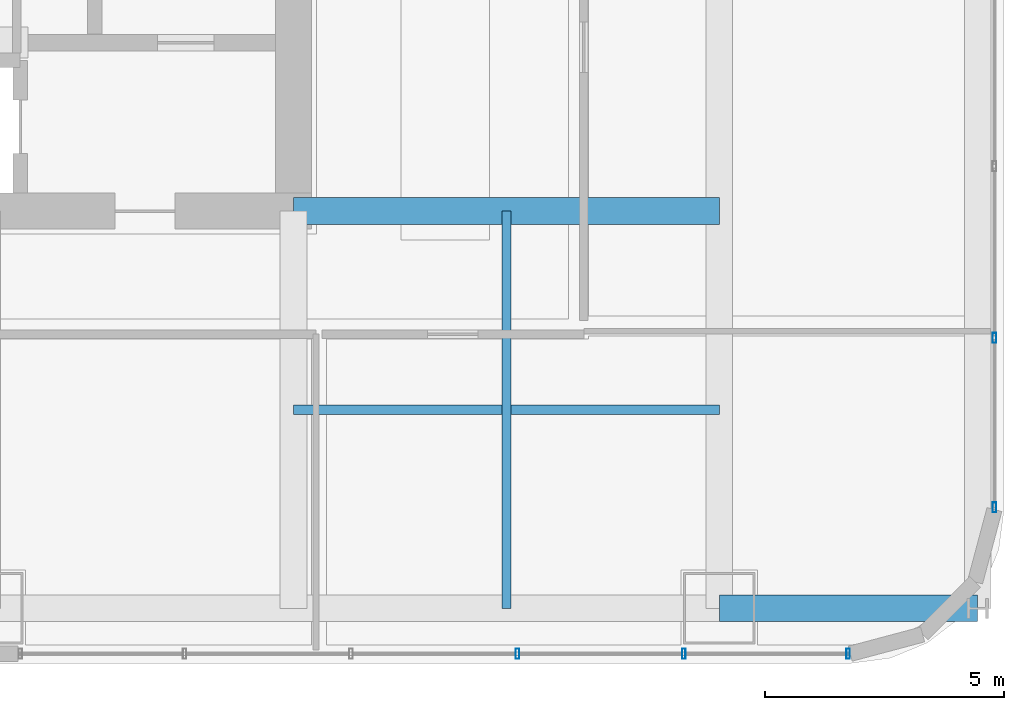
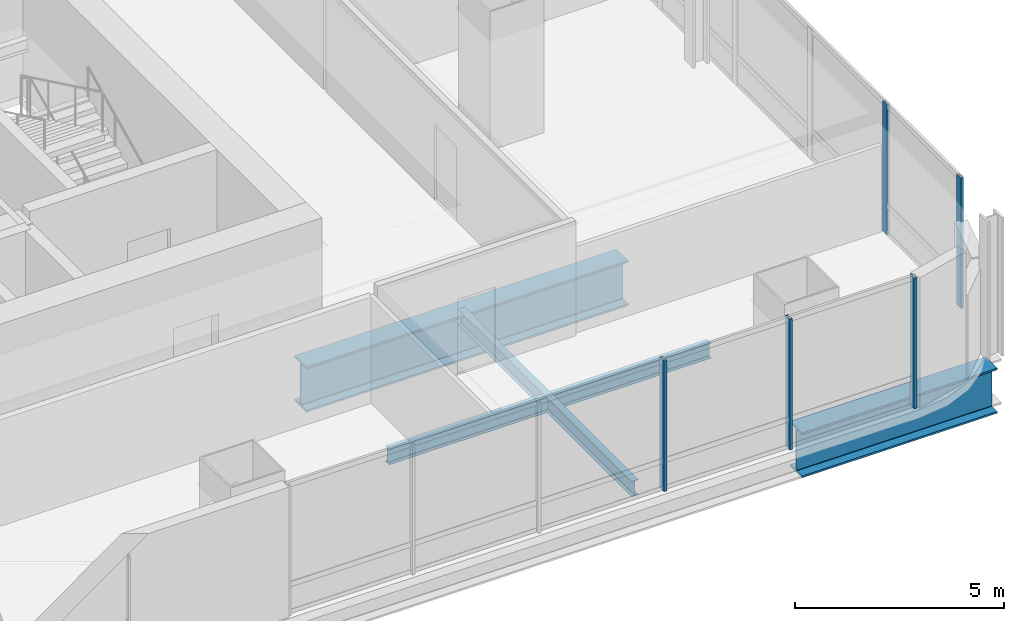
# One storey, part 11 of 37: 5 members, 4 beams, 2 elements without a shape of their own.
"""IFC4 building model written with IfcOpenShell, lengths in metres."""

from ifc_helpers import new_model, si_unit, direction, frame, origin, origin_2d, place, context, subcontext, project, spatial, hollow_rectangle, i_section, extrude, material, material_profile, profile_set, type_object, element, aggregate, save


model = new_model("IFC4")

# Units and contexts
model_context = context("Model", 3, precision=1e-05, world=origin(), true_north=direction((0.0, 1.0)))
body_context = subcontext(model_context, "Body", "Model", "MODEL_VIEW")
ifc_project = project(units=[si_unit("LENGTHUNIT", "METRE"), si_unit("AREAUNIT", "SQUARE_METRE"), si_unit("VOLUMEUNIT", "CUBIC_METRE"), si_unit("PLANEANGLEUNIT", "RADIAN"), si_unit("MASSUNIT", "GRAM", prefix="KILO")], contexts=[model_context])

# Site, building, storey
site_placement = place(None, origin())
site = spatial("IfcSite", under=ifc_project, at=site_placement, CompositionType="ELEMENT")
building_placement = place(site_placement, origin())
building = spatial("IfcBuilding", under=site, at=building_placement, Name="Punatoya Terracotta Tower", CompositionType="ELEMENT")
storey_placement = place(building_placement, frame((0.0, 0.0, 109.199951171875)))
storey = spatial("IfcBuildingStorey", under=building, at=storey_placement, Name="L25", CompositionType="ELEMENT", Elevation=109.199951171875)

# Beams
ifc_material_1 = material(Name="Steel S355", Category="steel")
ifc_material_profile_1 = material_profile(ifc_material_1, i_section(OverallWidth=0.18994140625, OverallDepth=0.449951171875, WebThickness=0.009521484375, FlangeThickness=0.0146484375, FilletRadius=0.01806640625, at=origin_2d()))
ifc_profile_set_1 = profile_set([ifc_material_profile_1], Name="Steel S355")
beam_type_1 = type_object("IfcBeamType", Name="BM-SEC-450", PredefinedType="JOIST", material=ifc_profile_set_1)
beam_1_placement = place(storey_placement, frame((10.199951171875, -13.35009765625, -0.46484375), z_axis=(1.0, 0.0, 0.0), x_axis=(0.0, 1.0, 0.0)))
element("IfcBeam", 1, at=beam_1_placement, inside=storey, type_object=beam_type_1, Name="BM-L25-SJS-2", PredefinedType="JOIST", context=body_context, shape_type="SweptSolid", body=[
    extrude(i_section(OverallWidth=0.18994140625, OverallDepth=0.449951171875, WebThickness=0.009521484375, FlangeThickness=0.0146484375, FilletRadius=0.01806640625, at=origin_2d()), origin(), (0.0, 0.0, 1.0), 8.900146484375),
])
beam_2_placement = place(storey_placement, frame((14.64990234375, -17.5, -0.46484375), z_axis=(0.0, 1.0, 0.0), x_axis=(-1.0, 0.0, 0.0)))
element("IfcBeam", 2, at=beam_2_placement, inside=storey, type_object=beam_type_1, Name="BM-L25-SJE-1", PredefinedType="JOIST", context=body_context, shape_type="SweptSolid", body=[
    extrude(i_section(OverallWidth=0.18994140625, OverallDepth=0.449951171875, WebThickness=0.009521484375, FlangeThickness=0.0146484375, FilletRadius=0.01806640625, at=origin_2d()), origin(), (0.0, 0.0, 1.0), 8.300048828125),
])
ifc_material_2 = material(Name="Steel S460", Category="steel")
ifc_material_profile_2 = material_profile(ifc_material_2, i_section(OverallWidth=0.56005859375, OverallDepth=1.320068359375, WebThickness=0.035888671875, FlangeThickness=0.054931640625, FilletRadius=0.01806640625, at=origin_2d()))
ifc_profile_set_2 = profile_set([ifc_material_profile_2], Name="Steel S460")
beam_type_2 = type_object("IfcBeamType", Name="BM-TG-BLK", PredefinedType="BEAM", material=ifc_profile_set_2)
beam_3_placement = place(storey_placement, frame((10.199951171875, -9.199951171875, -0.89990234375), z_axis=(1.0, 0.0, 0.0), x_axis=(0.0, 1.0, 0.0)))
element("IfcBeam", 3, at=beam_3_placement, inside=storey, type_object=beam_type_2, Name="BM-L25-PR-ES", PredefinedType="BEAM", context=body_context, shape_type="SweptSolid", body=[
    extrude(i_section(OverallWidth=0.56005859375, OverallDepth=1.320068359375, WebThickness=0.035888671875, FlangeThickness=0.054931640625, FilletRadius=0.01806640625, at=origin_2d()), origin(), (0.0, 0.0, 1.0), 8.900146484375),
])
beam_4_placement = place(storey_placement, frame((19.10009765625, -17.5, -0.89990234375), z_axis=(1.0, 0.0, 0.0), x_axis=(0.0, 1.0, 0.0)))
element("IfcBeam", 4, at=beam_4_placement, inside=storey, type_object=beam_type_2, Name="BM-L25-CANT-E1", PredefinedType="BEAM", context=body_context, shape_type="SweptSolid", body=[
    extrude(i_section(OverallWidth=0.56005859375, OverallDepth=1.320068359375, WebThickness=0.035888671875, FlangeThickness=0.054931640625, FilletRadius=0.01806640625, at=origin_2d()), origin(), (0.0, 0.0, 1.0), 5.39990234375),
])

# Curtain wall, members
ifc_material_3 = material(Name="Aluminium 6063-T6 + Double Low-E Glass", Category="aluminium")
curtain_wall_type = type_object("IfcCurtainWallType", Name="CW-M1", PredefinedType="NOTDEFINED", material=ifc_material_3)
curtain_wall_1_placement = place(storey_placement, origin())
curtain_wall_1 = element("IfcCurtainWall", 5, at=curtain_wall_1_placement, inside=storey, type_object=curtain_wall_type, Name="L25 Curtain Wall CW-L25-S01-2", PredefinedType="NOTDEFINED")
ifc_material_4 = material(Name="Aluminium 6063-T6", Category="aluminium")
ifc_material_profile_3 = material_profile(ifc_material_4, hollow_rectangle(XDim=0.074951171875, YDim=0.2099609375, WallThickness=0.00439453125, at=origin_2d()))
ifc_profile_set_3 = profile_set([ifc_material_profile_3], Name="Aluminium 6063-T6")
member_type = type_object("IfcMemberType", Name="CW-MUL-M1", PredefinedType="MULLION", material=ifc_profile_set_3)
member_1_placement = place(storey_placement, frame((14.882080078125, -18.449951171875, 0.0), z_axis=(0.0, 0.0, 1.0), x_axis=(1.0, 0.0, 0.0)))
member_1 = element("IfcMember", 6, at=member_1_placement, type_object=member_type, Name="CW-L25-S01-2 Mullion 03", PredefinedType="MULLION", context=body_context, shape_type="SweptSolid", body=[
    extrude(hollow_rectangle(XDim=0.074951171875, YDim=0.2099609375, WallThickness=0.00439453125, at=origin_2d()), origin(), (0.0, 0.0, 1.0), 3.81005859375),
])
member_2_placement = place(storey_placement, frame((18.359619140625, -18.449951171875, 0.0), z_axis=(0.0, 0.0, 1.0), x_axis=(1.0, 0.0, 0.0)))
member_2 = element("IfcMember", 7, at=member_2_placement, type_object=member_type, Name="CW-L25-S01-2 Mullion 04", PredefinedType="MULLION", context=body_context, shape_type="SweptSolid", body=[
    extrude(hollow_rectangle(XDim=0.074951171875, YDim=0.2099609375, WallThickness=0.00439453125, at=origin_2d()), origin(), (0.0, 0.0, 1.0), 3.81005859375),
])
member_3_placement = place(storey_placement, frame((21.7919921875, -18.449951171875, 0.0), z_axis=(0.0, 0.0, 1.0), x_axis=(1.0, 0.0, 0.0)))
member_3 = element("IfcMember", 8, at=member_3_placement, type_object=member_type, Name="CW-L25-S01-2 Mullion 05", PredefinedType="MULLION", context=body_context, shape_type="SweptSolid", body=[
    extrude(hollow_rectangle(XDim=0.074951171875, YDim=0.2099609375, WallThickness=0.00439453125, at=origin_2d()), origin(), (0.0, 0.0, 1.0), 3.81005859375),
])
aggregate(curtain_wall_1, [member_1, member_2, member_3])

curtain_wall_2_placement = place(storey_placement, origin())
curtain_wall_2 = element("IfcCurtainWall", 9, at=curtain_wall_2_placement, inside=storey, type_object=curtain_wall_type, Name="L25 Curtain Wall CW-L25-E05-1", PredefinedType="NOTDEFINED")
member_4_placement = place(storey_placement, frame((24.85009765625, -15.391845703125, 0.0), z_axis=(0.0, 0.0, 1.0), x_axis=(1.0, 0.0, 0.0)))
member_4 = element("IfcMember", 10, at=member_4_placement, type_object=member_type, Name="CW-L25-E05-1 Mullion 00", PredefinedType="MULLION", context=body_context, shape_type="SweptSolid", body=[
    extrude(hollow_rectangle(XDim=0.074951171875, YDim=0.2099609375, WallThickness=0.00439453125, at=origin_2d()), origin(), (0.0, 0.0, 1.0), 3.81005859375),
])
member_5_placement = place(storey_placement, frame((24.85009765625, -11.849609375, 0.0), z_axis=(0.0, 0.0, 1.0), x_axis=(1.0, 0.0, 0.0)))
member_5 = element("IfcMember", 11, at=member_5_placement, type_object=member_type, Name="CW-L25-E05-1 Mullion 01", PredefinedType="MULLION", context=body_context, shape_type="SweptSolid", body=[
    extrude(hollow_rectangle(XDim=0.074951171875, YDim=0.2099609375, WallThickness=0.00439453125, at=origin_2d()), origin(), (0.0, 0.0, 1.0), 3.81005859375),
])
aggregate(curtain_wall_2, [member_4, member_5])

save(model, "model.ifc")
